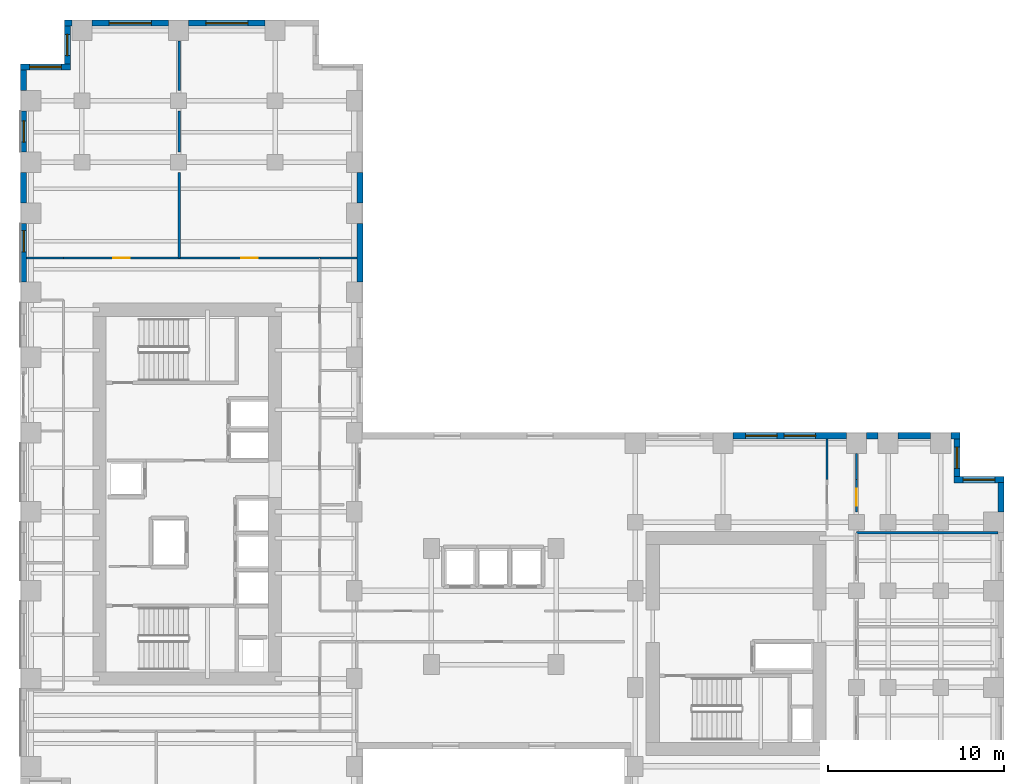
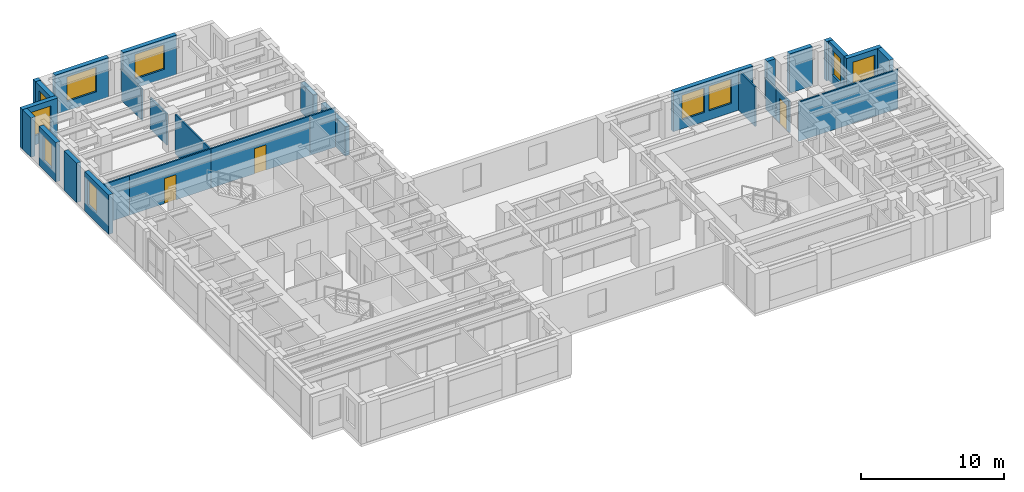
# One storey, part 11 of 14: 29 walls, 10 windows, 3 doors, 13 openings.
"""IFC4 building model written with IfcOpenShell, lengths in metres."""

from ifc_helpers import new_model, si_unit, direction, frame, frame_2d, origin, place, context, subcontext, project, spatial, rectangle, extrude, source, transform, mapped, material, layer, layer_set, type_object, element, fill, save


model = new_model("IFC4")

# Units and contexts
model_context = context("Model", 3, precision=1e-05, world=origin(), true_north=direction((0.0, 1.0)))
body_context = subcontext(model_context, "Body", "Model", "MODEL_VIEW")
ifc_project = project(units=[si_unit("LENGTHUNIT", "METRE"), si_unit("AREAUNIT", "SQUARE_METRE"), si_unit("VOLUMEUNIT", "CUBIC_METRE"), si_unit("PLANEANGLEUNIT", "RADIAN"), si_unit("MASSUNIT", "GRAM", prefix="KILO")], contexts=[model_context])

# Site, building, storey
site_placement = place(None, origin())
site = spatial("IfcSite", under=ifc_project, at=site_placement, CompositionType="ELEMENT")
building_placement = place(site_placement, origin())
building = spatial("IfcBuilding", under=site, at=building_placement, Name="Kharzan Plaza Tower", CompositionType="ELEMENT")
storey_placement = place(building_placement, frame((0.0, 0.0, 81.0)))
storey = spatial("IfcBuildingStorey", under=building, at=storey_placement, Name="L21", CompositionType="ELEMENT", Elevation=81.0)

# Wall, opening, window
ifc_material_1 = material(Name="Concrete C40/50", Category="concrete")
ifc_layer_1 = layer(ifc_material_1, 0.35009765625)
ifc_layer_set_1 = layer_set([ifc_layer_1], Name="Concrete C40/50")
wall_type_1 = type_object("IfcWallType", Name="WL-EXT-MAS-Z2", PredefinedType="SOLIDWALL", material=ifc_layer_set_1)
wall_1_placement = place(storey_placement, frame((13.927001953125, 45.824951171875, 0.0), z_axis=(0.0, 0.0, 1.0), x_axis=(-1.0, 0.0, 0.0)))
wall_1 = element("IfcWall", 1, at=wall_1_placement, inside=storey, type_object=wall_type_1, Name="L21 Masonry-Frame Exterior Wall 04", PredefinedType="SOLIDWALL", context=body_context, shape_type="SweptSolid", body=[
    extrude(rectangle(XDim=4.35400390625, YDim=0.35009765625, at=frame_2d((2.177001953125, 0.0))), origin(), (0.0, 0.0, 1.0), 3.364990234375),
])
opening_1_placement = place(wall_1_placement, frame((0.97705078125, 0.0, 0.780029296875)))
opening_1 = element("IfcOpeningElement", 2, at=opening_1_placement, cuts=wall_1, Name="Opening W2", PredefinedType="OPENING", context=body_context, shape_type="SweptSolid", body=[
    extrude(rectangle(XDim=2.39990234375, YDim=2.10009765625, at=frame_2d((1.199951171875, 1.050048828125))), frame((0.0, 0.18505859375, 0.0), z_axis=(0.0, -1.0, 0.0), x_axis=(1.0, 0.0, 0.0)), (0.0, 0.0, 1.0), 0.3701171875),
])
ifc_material_2 = material(Name="Low-E Double Glazing", Category="glass")
window_type_1 = type_object("IfcWindowType", Name="WN-REC-2400x2100", PartitioningType="SINGLE_PANEL", PredefinedType="WINDOW", material=ifc_material_2)
shared_shape_1 = source(origin(), body_context, "Body", "SweptSolid", [
    extrude(rectangle(XDim=2.39990234375, YDim=2.10009765625, at=frame_2d((1.199951171875, 1.050048828125))), frame((0.0, 0.030029296875, 0.0), z_axis=(0.0, -1.0, 0.0), x_axis=(1.0, 0.0, 0.0)), (0.0, 0.0, 1.0), 0.06005859375),
])
window_1_placement = place(opening_1_placement, origin())
window_1 = element("IfcWindow", 3, at=window_1_placement, inside=storey, type_object=window_type_1, Name="L21 Wide Recessed Solar-Control Window 04-1", OverallHeight=2.10009765625, OverallWidth=2.39990234375, PartitioningType="SINGLE_PANEL", PredefinedType="WINDOW", context=body_context, shape_type="MappedRepresentation", body=[
    mapped(shared_shape_1, transform((0.0, 0.0, 0.0), x_axis=(1.0, 0.0, 0.0), y_axis=(0.0, 1.0, 0.0), z_axis=(0.0, 0.0, 1.0))),
])
fill(opening_1, window_1)

wall_2_placement = place(storey_placement, frame((8.427001953125, 45.824951171875, 0.0), z_axis=(0.0, 0.0, 1.0), x_axis=(-1.0, 0.0, 0.0)))
wall_2 = element("IfcWall", 4, at=wall_2_placement, inside=storey, type_object=wall_type_1, Name="L21 Masonry-Frame Exterior Wall 05", PredefinedType="SOLIDWALL", context=body_context, shape_type="SweptSolid", body=[
    extrude(rectangle(XDim=4.35400390625, YDim=0.35009765625, at=frame_2d((2.177001953125, 0.0))), origin(), (0.0, 0.0, 1.0), 3.364990234375),
])
opening_2_placement = place(wall_2_placement, frame((0.97705078125, 0.0, 0.780029296875)))
opening_2 = element("IfcOpeningElement", 5, at=opening_2_placement, cuts=wall_2, Name="Opening W2", PredefinedType="OPENING", context=body_context, shape_type="SweptSolid", body=[
    extrude(rectangle(XDim=2.39990234375, YDim=2.10009765625, at=frame_2d((1.199951171875, 1.050048828125))), frame((0.0, 0.18505859375, 0.0), z_axis=(0.0, -1.0, 0.0), x_axis=(1.0, 0.0, 0.0)), (0.0, 0.0, 1.0), 0.3701171875),
])
window_2_placement = place(opening_2_placement, origin())
window_2 = element("IfcWindow", 6, at=window_2_placement, inside=storey, type_object=window_type_1, Name="L21 Wide Recessed Solar-Control Window 05-1", OverallHeight=2.10009765625, OverallWidth=2.39990234375, PartitioningType="SINGLE_PANEL", PredefinedType="WINDOW", context=body_context, shape_type="MappedRepresentation", body=[
    mapped(shared_shape_1, transform((0.0, 0.0, 0.0), x_axis=(1.0, 0.0, 0.0), y_axis=(0.0, 1.0, 0.0), z_axis=(0.0, 0.0, 1.0))),
])
fill(opening_2, window_2)

wall_3_placement = place(storey_placement, frame((2.675048828125, 45.652099609375, 0.0), z_axis=(0.0, 0.0, 1.0), x_axis=(0.0, -1.0, 0.0)))
wall_3 = element("IfcWall", 7, at=wall_3_placement, inside=storey, type_object=wall_type_1, Name="L21 Masonry-Frame Exterior Wall 07", PredefinedType="SOLIDWALL", context=body_context, shape_type="SweptSolid", body=[
    extrude(rectangle(XDim=2.154052734375, YDim=0.35009765625, at=frame_2d((1.0771484375, 0.0))), origin(), (0.0, 0.0, 1.0), 3.364990234375),
])
opening_3_placement = place(wall_3_placement, frame((0.47705078125, 0.0, 0.780029296875)))
opening_3 = element("IfcOpeningElement", 8, at=opening_3_placement, cuts=wall_3, Name="Opening W3", PredefinedType="OPENING", context=body_context, shape_type="SweptSolid", body=[
    extrude(rectangle(XDim=1.199951171875, YDim=2.10009765625, at=frame_2d((0.60009765625, 1.050048828125))), frame((0.0, 0.18505859375, 0.0), z_axis=(0.0, -1.0, 0.0), x_axis=(1.0, 0.0, 0.0)), (0.0, 0.0, 1.0), 0.3701171875),
])
window_type_2 = type_object("IfcWindowType", Name="WN-REC-1200x2100", PartitioningType="SINGLE_PANEL", PredefinedType="WINDOW", material=ifc_material_2)
shared_shape_2 = source(origin(), body_context, "Body", "SweptSolid", [
    extrude(rectangle(XDim=1.199951171875, YDim=2.10009765625, at=frame_2d((0.60009765625, 1.050048828125))), frame((0.0, 0.030029296875, 0.0), z_axis=(0.0, -1.0, 0.0), x_axis=(1.0, 0.0, 0.0)), (0.0, 0.0, 1.0), 0.06005859375),
])
window_3_placement = place(opening_3_placement, origin())
window_3 = element("IfcWindow", 9, at=window_3_placement, inside=storey, type_object=window_type_2, Name="L21 Recessed Solar-Control Window 07-1", OverallHeight=2.10009765625, OverallWidth=1.199951171875, PartitioningType="SINGLE_PANEL", PredefinedType="WINDOW", context=body_context, shape_type="MappedRepresentation", body=[
    mapped(shared_shape_2, transform((0.0, 0.0, 0.0), x_axis=(1.0, 0.0, 0.0), y_axis=(0.0, 1.0, 0.0), z_axis=(0.0, 0.0, 1.0))),
])
fill(opening_3, window_3)

wall_4_placement = place(storey_placement, frame((2.85009765625, 43.324951171875, 0.0), z_axis=(0.0, 0.0, 1.0), x_axis=(-1.0, 0.0, 0.0)))
wall_4 = element("IfcWall", 10, at=wall_4_placement, inside=storey, type_object=wall_type_1, Name="L21 Masonry-Frame Exterior Wall 08", PredefinedType="SOLIDWALL", context=body_context, shape_type="SweptSolid", body=[
    extrude(rectangle(XDim=2.85009765625, YDim=0.35009765625, at=frame_2d((1.425048828125, 0.0))), origin(), (0.0, 0.0, 1.0), 3.364990234375),
])
opening_4_placement = place(wall_4_placement, frame((0.52490234375, 0.0, 0.780029296875)))
opening_4 = element("IfcOpeningElement", 11, at=opening_4_placement, cuts=wall_4, Name="Opening W1", PredefinedType="OPENING", context=body_context, shape_type="SweptSolid", body=[
    extrude(rectangle(XDim=1.800048828125, YDim=2.10009765625, at=frame_2d((0.89990234375, 1.050048828125))), frame((0.0, 0.18505859375, 0.0), z_axis=(0.0, -1.0, 0.0), x_axis=(1.0, 0.0, 0.0)), (0.0, 0.0, 1.0), 0.3701171875),
])
window_type_3 = type_object("IfcWindowType", Name="WN-REC-1800x2100", PartitioningType="SINGLE_PANEL", PredefinedType="WINDOW", material=ifc_material_2)
shared_shape_3 = source(origin(), body_context, "Body", "SweptSolid", [
    extrude(rectangle(XDim=1.800048828125, YDim=2.10009765625, at=frame_2d((0.89990234375, 1.050048828125))), frame((0.0, 0.030029296875, 0.0), z_axis=(0.0, -1.0, 0.0), x_axis=(1.0, 0.0, 0.0)), (0.0, 0.0, 1.0), 0.06005859375),
])
window_4_placement = place(opening_4_placement, origin())
window_4 = element("IfcWindow", 12, at=window_4_placement, inside=storey, type_object=window_type_3, Name="L21 Recessed Solar-Control Window 08-1", OverallHeight=2.10009765625, OverallWidth=1.800048828125, PartitioningType="SINGLE_PANEL", PredefinedType="WINDOW", context=body_context, shape_type="MappedRepresentation", body=[
    mapped(shared_shape_3, transform((0.0, 0.0, 0.0), x_axis=(1.0, 0.0, 0.0), y_axis=(0.0, 1.0, 0.0), z_axis=(0.0, 0.0, 1.0))),
])
fill(opening_4, window_4)

wall_5_placement = place(storey_placement, frame((0.175048828125, 40.826904296875, 0.0), z_axis=(0.0, 0.0, 1.0), x_axis=(0.0, -1.0, 0.0)))
wall_5 = element("IfcWall", 13, at=wall_5_placement, inside=storey, type_object=wall_type_1, Name="L21 Masonry-Frame Exterior Wall 10", PredefinedType="SOLIDWALL", context=body_context, shape_type="SweptSolid", body=[
    extrude(rectangle(XDim=2.35400390625, YDim=0.35009765625, at=frame_2d((1.177001953125, 0.0))), origin(), (0.0, 0.0, 1.0), 3.364990234375),
])
opening_5_placement = place(wall_5_placement, frame((0.576904296875, 0.0, 0.780029296875)))
opening_5 = element("IfcOpeningElement", 14, at=opening_5_placement, cuts=wall_5, Name="Opening W3", PredefinedType="OPENING", context=body_context, shape_type="SweptSolid", body=[
    extrude(rectangle(XDim=1.199951171875, YDim=2.10009765625, at=frame_2d((0.60009765625, 1.050048828125))), frame((0.0, 0.18505859375, 0.0), z_axis=(0.0, -1.0, 0.0), x_axis=(1.0, 0.0, 0.0)), (0.0, 0.0, 1.0), 0.3701171875),
])
window_5_placement = place(opening_5_placement, origin())
window_5 = element("IfcWindow", 15, at=window_5_placement, inside=storey, type_object=window_type_2, Name="L21 Recessed Solar-Control Window 10-1", OverallHeight=2.10009765625, OverallWidth=1.199951171875, PartitioningType="SINGLE_PANEL", PredefinedType="WINDOW", context=body_context, shape_type="MappedRepresentation", body=[
    mapped(shared_shape_2, transform((0.0, 0.0, 0.0), x_axis=(1.0, 0.0, 0.0), y_axis=(0.0, 1.0, 0.0), z_axis=(0.0, 0.0, 1.0))),
])
fill(opening_5, window_5)

wall_6_placement = place(storey_placement, frame((0.175048828125, 34.427001953125, 0.0), z_axis=(0.0, 0.0, 1.0), x_axis=(0.0, -1.0, 0.0)))
wall_6 = element("IfcWall", 16, at=wall_6_placement, inside=storey, type_object=wall_type_1, Name="L21 Masonry-Frame Exterior Wall 12", PredefinedType="SOLIDWALL", context=body_context, shape_type="SweptSolid", body=[
    extrude(rectangle(XDim=3.35400390625, YDim=0.35009765625, at=frame_2d((1.677001953125, 0.0))), origin(), (0.0, 0.0, 1.0), 3.364990234375),
])
opening_6_placement = place(wall_6_placement, frame((0.423583984375, 0.0, 0.780029296875)))
opening_6 = element("IfcOpeningElement", 17, at=opening_6_placement, cuts=wall_6, Name="Opening W3", PredefinedType="OPENING", context=body_context, shape_type="SweptSolid", body=[
    extrude(rectangle(XDim=1.199951171875, YDim=2.10009765625, at=frame_2d((0.60009765625, 1.050048828125))), frame((0.0, 0.18505859375, 0.0), z_axis=(0.0, -1.0, 0.0), x_axis=(1.0, 0.0, 0.0)), (0.0, 0.0, 1.0), 0.3701171875),
])
window_6_placement = place(opening_6_placement, origin())
window_6 = element("IfcWindow", 18, at=window_6_placement, inside=storey, type_object=window_type_2, Name="L21 Recessed Solar-Control Window 12-1", OverallHeight=2.10009765625, OverallWidth=1.199951171875, PartitioningType="SINGLE_PANEL", PredefinedType="WINDOW", context=body_context, shape_type="MappedRepresentation", body=[
    mapped(shared_shape_2, transform((0.0, 0.0, 0.0), x_axis=(1.0, 0.0, 0.0), y_axis=(0.0, 1.0, 0.0), z_axis=(0.0, 0.0, 1.0))),
])
fill(opening_6, window_6)

wall_7_placement = place(storey_placement, frame((56.0, 19.824951171875, 0.0), z_axis=(0.0, 0.0, 1.0), x_axis=(-1.0, 0.0, 0.0)))
wall_7 = element("IfcWall", 19, at=wall_7_placement, inside=storey, type_object=wall_type_1, Name="L21 Masonry-Frame Exterior Wall 42", PredefinedType="SOLIDWALL", context=body_context, shape_type="SweptSolid", body=[
    extrude(rectangle(XDim=2.85009765625, YDim=0.35009765625, at=frame_2d((1.425048828125, 0.0))), origin(), (0.0, 0.0, 1.0), 3.364990234375),
])
opening_7_placement = place(wall_7_placement, frame((0.52490234375, 0.0, 0.780029296875)))
opening_7 = element("IfcOpeningElement", 20, at=opening_7_placement, cuts=wall_7, Name="Opening W1", PredefinedType="OPENING", context=body_context, shape_type="SweptSolid", body=[
    extrude(rectangle(XDim=1.800048828125, YDim=2.10009765625, at=frame_2d((0.89990234375, 1.050048828125))), frame((0.0, 0.18505859375, 0.0), z_axis=(0.0, -1.0, 0.0), x_axis=(1.0, 0.0, 0.0)), (0.0, 0.0, 1.0), 0.3701171875),
])
window_7_placement = place(opening_7_placement, origin())
window_7 = element("IfcWindow", 21, at=window_7_placement, inside=storey, type_object=window_type_3, Name="L21 Recessed Solar-Control Window 42-1", OverallHeight=2.10009765625, OverallWidth=1.800048828125, PartitioningType="SINGLE_PANEL", PredefinedType="WINDOW", context=body_context, shape_type="MappedRepresentation", body=[
    mapped(shared_shape_3, transform((0.0, 0.0, 0.0), x_axis=(1.0, 0.0, 0.0), y_axis=(0.0, 1.0, 0.0), z_axis=(0.0, 0.0, 1.0))),
])
fill(opening_7, window_7)

wall_8_placement = place(storey_placement, frame((53.324951171875, 19.998046875, 0.0), z_axis=(0.0, 0.0, 1.0), x_axis=(0.0, 1.0, 0.0)))
wall_8 = element("IfcWall", 22, at=wall_8_placement, inside=storey, type_object=wall_type_1, Name="L21 Masonry-Frame Exterior Wall 43", PredefinedType="SOLIDWALL", context=body_context, shape_type="SweptSolid", body=[
    extrude(rectangle(XDim=2.154052734375, YDim=0.35009765625, at=frame_2d((1.0771484375, 0.0))), origin(), (0.0, 0.0, 1.0), 3.364990234375),
])
opening_8_placement = place(wall_8_placement, frame((0.47705078125, 0.0, 0.780029296875)))
opening_8 = element("IfcOpeningElement", 23, at=opening_8_placement, cuts=wall_8, Name="Opening W3", PredefinedType="OPENING", context=body_context, shape_type="SweptSolid", body=[
    extrude(rectangle(XDim=1.199951171875, YDim=2.10009765625, at=frame_2d((0.60009765625, 1.050048828125))), frame((0.0, 0.18505859375, 0.0), z_axis=(0.0, -1.0, 0.0), x_axis=(1.0, 0.0, 0.0)), (0.0, 0.0, 1.0), 0.3701171875),
])
window_8_placement = place(opening_8_placement, origin())
window_8 = element("IfcWindow", 24, at=window_8_placement, inside=storey, type_object=window_type_2, Name="L21 Recessed Solar-Control Window 43-1", OverallHeight=2.10009765625, OverallWidth=1.199951171875, PartitioningType="SINGLE_PANEL", PredefinedType="WINDOW", context=body_context, shape_type="MappedRepresentation", body=[
    mapped(shared_shape_2, transform((0.0, 0.0, 0.0), x_axis=(1.0, 0.0, 0.0), y_axis=(0.0, 1.0, 0.0), z_axis=(0.0, 0.0, 1.0))),
])
fill(opening_8, window_8)

# Wall, openings, windows
wall_9_placement = place(storey_placement, frame((47.027099609375, 22.324951171875, 0.0), z_axis=(0.0, 0.0, 1.0), x_axis=(-1.0, 0.0, 0.0)))
wall_9 = element("IfcWall", 25, at=wall_9_placement, inside=storey, type_object=wall_type_1, Name="L21 Masonry-Frame Exterior Wall 47", PredefinedType="SOLIDWALL", context=body_context, shape_type="SweptSolid", body=[
    extrude(rectangle(XDim=6.4541015625, YDim=0.35009765625, at=frame_2d((3.22705078125, 0.0))), origin(), (0.0, 0.0, 1.0), 3.364990234375),
])
opening_9_placement = place(wall_9_placement, frame((1.749267578125, 0.0, 0.780029296875)))
opening_9 = element("IfcOpeningElement", 26, at=opening_9_placement, cuts=wall_9, Name="Opening W1", PredefinedType="OPENING", context=body_context, shape_type="SweptSolid", body=[
    extrude(rectangle(XDim=1.800048828125, YDim=2.10009765625, at=frame_2d((0.89990234375, 1.050048828125))), frame((0.0, 0.18505859375, 0.0), z_axis=(0.0, -1.0, 0.0), x_axis=(1.0, 0.0, 0.0)), (0.0, 0.0, 1.0), 0.3701171875),
])
opening_10_placement = place(wall_9_placement, frame((3.941650390625, 0.0, 0.780029296875)))
opening_10 = element("IfcOpeningElement", 27, at=opening_10_placement, cuts=wall_9, Name="Opening W1", PredefinedType="OPENING", context=body_context, shape_type="SweptSolid", body=[
    extrude(rectangle(XDim=1.800048828125, YDim=2.10009765625, at=frame_2d((0.89990234375, 1.050048828125))), frame((0.0, 0.18505859375, 0.0), z_axis=(0.0, -1.0, 0.0), x_axis=(1.0, 0.0, 0.0)), (0.0, 0.0, 1.0), 0.3701171875),
])
window_9_placement = place(opening_9_placement, origin())
window_9 = element("IfcWindow", 28, at=window_9_placement, inside=storey, type_object=window_type_3, Name="L21 Recessed Solar-Control Window 47-1", OverallHeight=2.10009765625, OverallWidth=1.800048828125, PartitioningType="SINGLE_PANEL", PredefinedType="WINDOW", context=body_context, shape_type="MappedRepresentation", body=[
    mapped(shared_shape_3, transform((0.0, 0.0, 0.0), x_axis=(1.0, 0.0, 0.0), y_axis=(0.0, 1.0, 0.0), z_axis=(0.0, 0.0, 1.0))),
])
fill(opening_9, window_9)
window_10_placement = place(opening_10_placement, origin())
window_10 = element("IfcWindow", 29, at=window_10_placement, inside=storey, type_object=window_type_3, Name="L21 Recessed Solar-Control Window 47-2", OverallHeight=2.10009765625, OverallWidth=1.800048828125, PartitioningType="SINGLE_PANEL", PredefinedType="WINDOW", context=body_context, shape_type="MappedRepresentation", body=[
    mapped(shared_shape_3, transform((0.0, 0.0, 0.0), x_axis=(1.0, 0.0, 0.0), y_axis=(0.0, 1.0, 0.0), z_axis=(0.0, 0.0, 1.0))),
])
fill(opening_10, window_10)

# Wall, opening, door
ifc_material_3 = material(Name="Fire-Rated Gypsum Board Partition", Category="gypsum")
ifc_layer_2 = layer(ifc_material_3, 0.125)
ifc_layer_set_2 = layer_set([ifc_layer_2], Name="Fire-Rated Gypsum Board Partition")
wall_type_2 = type_object("IfcWallType", Name="WL-INT-PART-125", PredefinedType="PARTITIONING", material=ifc_layer_set_2)
wall_10_placement = place(storey_placement, frame((47.60009765625, 17.989990234375, 0.0), z_axis=(0.0, 0.0, 1.0), x_axis=(0.0, 1.0, 0.0)))
wall_10 = element("IfcWall", 30, at=wall_10_placement, inside=storey, type_object=wall_type_2, Name="L21 Interior Partition SH-B1W2", PredefinedType="PARTITIONING", context=body_context, shape_type="SweptSolid", body=[
    extrude(rectangle(XDim=1.860107421875, YDim=0.125, at=frame_2d((0.93017578125, 0.0))), origin(), (0.0, 0.0, 1.0), 2.677001953125),
])
opening_11_placement = place(wall_10_placement, frame((0.36328125, 0.0, 0.0)))
opening_11 = element("IfcOpeningElement", 31, at=opening_11_placement, cuts=wall_10, Name="Opening OD1", PredefinedType="OPENING", context=body_context, shape_type="SweptSolid", body=[
    extrude(rectangle(XDim=0.949951171875, YDim=2.14990234375, at=frame_2d((0.47509765625, 1.074951171875))), frame((0.0, 0.072509765625, 0.0), z_axis=(0.0, -1.0, 0.0), x_axis=(1.0, 0.0, 0.0)), (0.0, 0.0, 1.0), 0.14501953125),
])
ifc_material_4 = material(Name="Acoustic Solid-Core Stained Oak", Category="timber")
door_type = type_object("IfcDoorType", Name="DR-OFF-SINGLE", OperationType="NOTDEFINED", PredefinedType="DOOR", material=ifc_material_4)
shared_shape_4 = source(origin(), body_context, "Body", "SweptSolid", [
    extrude(rectangle(XDim=0.949951171875, YDim=2.14990234375, at=frame_2d((0.47509765625, 1.074951171875))), frame((0.0, 0.02490234375, 0.0), z_axis=(0.0, -1.0, 0.0), x_axis=(1.0, 0.0, 0.0)), (0.0, 0.0, 1.0), 0.050048828125),
])
door_1_placement = place(opening_11_placement, origin())
door_1 = element("IfcDoor", 32, at=door_1_placement, inside=storey, type_object=door_type, Name="L21 Wing B North Office Door", OperationType="SINGLE_SWING_RIGHT", OverallHeight=2.14990234375, OverallWidth=0.949951171875, PredefinedType="DOOR", context=body_context, shape_type="MappedRepresentation", body=[
    mapped(shared_shape_4, transform((0.0, 0.0, 0.0), x_axis=(1.0, 0.0, 0.0), y_axis=(0.0, 1.0, 0.0), z_axis=(0.0, 0.0, 1.0))),
])
fill(opening_11, door_1)

wall_11_placement = place(storey_placement, frame((2.449951171875, 32.449951171875, 0.0), z_axis=(0.0, 0.0, 1.0), x_axis=(1.0, 0.0, 0.0)))
wall_11 = element("IfcWall", 33, at=wall_11_placement, inside=storey, type_object=wall_type_2, Name="L21 Interior Partition SH-NN-1", PredefinedType="PARTITIONING", context=body_context, shape_type="SweptSolid", body=[
    extrude(rectangle(XDim=6.589111328125, YDim=0.125, at=frame_2d((3.29443359375, 0.0))), origin(), (0.0, 0.0, 1.0), 3.364990234375),
])
opening_12_placement = place(wall_11_placement, frame((2.819580078125, 0.0, 0.0)))
opening_12 = element("IfcOpeningElement", 34, at=opening_12_placement, cuts=wall_11, Name="Opening OD1", PredefinedType="OPENING", context=body_context, shape_type="SweptSolid", body=[
    extrude(rectangle(XDim=0.949951171875, YDim=2.14990234375, at=frame_2d((0.47509765625, 1.074951171875))), frame((0.0, 0.072509765625, 0.0), z_axis=(0.0, -1.0, 0.0), x_axis=(1.0, 0.0, 0.0)), (0.0, 0.0, 1.0), 0.14501953125),
])
door_2_placement = place(opening_12_placement, origin())
door_2 = element("IfcDoor", 35, at=door_2_placement, inside=storey, type_object=door_type, Name="L21 Systems Planning Office Door", OperationType="SINGLE_SWING_RIGHT", OverallHeight=2.14990234375, OverallWidth=0.949951171875, PredefinedType="DOOR", context=body_context, shape_type="MappedRepresentation", body=[
    mapped(shared_shape_4, transform((0.0, 0.0, 0.0), x_axis=(1.0, 0.0, 0.0), y_axis=(0.0, 1.0, 0.0), z_axis=(0.0, 0.0, 1.0))),
])
fill(opening_12, door_2)

wall_12_placement = place(storey_placement, frame((9.0390625, 32.449951171875, 0.0), z_axis=(0.0, 0.0, 1.0), x_axis=(1.0, 0.0, 0.0)))
wall_12 = element("IfcWall", 36, at=wall_12_placement, inside=storey, type_object=wall_type_2, Name="L21 Interior Partition SH-NN-2", PredefinedType="PARTITIONING", context=body_context, shape_type="SweptSolid", body=[
    extrude(rectangle(XDim=8.010986328125, YDim=0.125, at=frame_2d((4.00537109375, 0.0))), origin(), (0.0, 0.0, 1.0), 3.364990234375),
])
opening_13_placement = place(wall_12_placement, frame((3.530517578125, 0.0, 0.0)))
opening_13 = element("IfcOpeningElement", 37, at=opening_13_placement, cuts=wall_12, Name="Opening OD1", PredefinedType="OPENING", context=body_context, shape_type="SweptSolid", body=[
    extrude(rectangle(XDim=0.949951171875, YDim=2.14990234375, at=frame_2d((0.47509765625, 1.074951171875))), frame((0.0, 0.072509765625, 0.0), z_axis=(0.0, -1.0, 0.0), x_axis=(1.0, 0.0, 0.0)), (0.0, 0.0, 1.0), 0.14501953125),
])
door_3_placement = place(opening_13_placement, origin())
door_3 = element("IfcDoor", 38, at=door_3_placement, inside=storey, type_object=door_type, Name="L21 Open Office Workspace Door", OperationType="SINGLE_SWING_LEFT", OverallHeight=2.14990234375, OverallWidth=0.949951171875, PredefinedType="DOOR", context=body_context, shape_type="MappedRepresentation", body=[
    mapped(shared_shape_4, transform((0.0, 0.0, 0.0), x_axis=(1.0, 0.0, 0.0), y_axis=(0.0, 1.0, 0.0), z_axis=(0.0, 0.0, 1.0))),
])
fill(opening_13, door_3)

# Walls
shared_shape_5 = source(origin(), body_context, "Body", "SweptSolid", [
    extrude(rectangle(XDim=2.2978515625, YDim=0.125, at=frame_2d((1.14892578125, 0.0))), origin(), (0.0, 0.0, 1.0), 3.364990234375),
])
wall_13_placement = place(storey_placement, frame((45.919921875, 19.85009765625, 0.0), z_axis=(0.0, 0.0, 1.0), x_axis=(0.0, 1.0, 0.0)))
element("IfcWall", 39, at=wall_13_placement, inside=storey, type_object=wall_type_2, Name="L21 Interior Partition SH-RBNE0", PredefinedType="PARTITIONING", context=body_context, shape_type="MappedRepresentation", body=[
    mapped(shared_shape_5, transform((0.0, 0.0, 0.0), x_axis=(1.0, 0.0, 0.0), y_axis=(0.0, 1.0, 0.0), z_axis=(0.0, 0.0, 1.0))),
])
shared_shape_6 = source(origin(), body_context, "Body", "SweptSolid", [
    extrude(rectangle(XDim=2.097900390625, YDim=0.125, at=frame_2d((1.048828125, 0.0))), origin(), (0.0, 0.0, 1.0), 3.364990234375),
])
for number, where, z_axis, x_axis, name in (
    (40, (17.050048828125, 32.449951171875, 0.0), (0.0, 0.0, 1.0), (1.0, 0.0, 0.0), "L21 Interior Partition SH-NNE0"),
    (41, (0.35205078125, 32.449951171875, 0.0), (0.0, 0.0, 1.0), (1.0, 0.0, 0.0), "L21 Interior Partition SH-NNW0"),
):
    element("IfcWall", number, at=place(storey_placement, frame(where, z_axis=z_axis, x_axis=x_axis)), inside=storey, type_object=wall_type_2, Name=name, PredefinedType="PARTITIONING", context=body_context, shape_type="MappedRepresentation", body=[
        mapped(shared_shape_6, transform((0.0, 0.0, 0.0), x_axis=(1.0, 0.0, 0.0), y_axis=(0.0, 1.0, 0.0), z_axis=(0.0, 0.0, 1.0))),
    ])
shared_shape_7 = source(origin(), body_context, "Body", "SweptSolid", [
    extrude(rectangle(XDim=0.427001953125, YDim=0.35009765625, at=frame_2d((0.21337890625, 0.0))), origin(), (0.0, 0.0, 1.0), 3.364990234375),
])
wall_14_placement = place(storey_placement, frame((2.927001953125, 45.824951171875, 0.0), z_axis=(0.0, 0.0, 1.0), x_axis=(-1.0, 0.0, 0.0)))
element("IfcWall", 42, at=wall_14_placement, inside=storey, type_object=wall_type_1, Name="L21 Masonry-Frame Exterior Wall 06", PredefinedType="SOLIDWALL", context=body_context, shape_type="MappedRepresentation", body=[
    mapped(shared_shape_7, transform((0.0, 0.0, 0.0), x_axis=(1.0, 0.0, 0.0), y_axis=(0.0, 1.0, 0.0), z_axis=(0.0, 0.0, 1.0))),
])
shared_shape_8 = source(origin(), body_context, "Body", "SweptSolid", [
    extrude(rectangle(XDim=1.17919921875, YDim=0.35009765625, at=frame_2d((0.589599609375, 0.0))), origin(), (0.0, 0.0, 1.0), 3.364990234375),
])
wall_15_placement = place(storey_placement, frame((0.175048828125, 43.152099609375, 0.0), z_axis=(0.0, 0.0, 1.0), x_axis=(0.0, -1.0, 0.0)))
element("IfcWall", 43, at=wall_15_placement, inside=storey, type_object=wall_type_1, Name="L21 Masonry-Frame Exterior Wall 09", PredefinedType="SOLIDWALL", context=body_context, shape_type="MappedRepresentation", body=[
    mapped(shared_shape_8, transform((0.0, 0.0, 0.0), x_axis=(1.0, 0.0, 0.0), y_axis=(0.0, 1.0, 0.0), z_axis=(0.0, 0.0, 1.0))),
])
shared_shape_9 = source(origin(), body_context, "Body", "SweptSolid", [
    extrude(rectangle(XDim=1.75390625, YDim=0.35009765625, at=frame_2d((0.876953125, 0.0))), origin(), (0.0, 0.0, 1.0), 3.364990234375),
])
wall_16_placement = place(storey_placement, frame((0.175048828125, 37.326904296875, 0.0), z_axis=(0.0, 0.0, 1.0), x_axis=(0.0, -1.0, 0.0)))
element("IfcWall", 44, at=wall_16_placement, inside=storey, type_object=wall_type_1, Name="L21 Masonry-Frame Exterior Wall 11", PredefinedType="SOLIDWALL", context=body_context, shape_type="MappedRepresentation", body=[
    mapped(shared_shape_9, transform((0.0, 0.0, 0.0), x_axis=(1.0, 0.0, 0.0), y_axis=(0.0, 1.0, 0.0), z_axis=(0.0, 0.0, 1.0))),
])
shared_shape_10 = source(origin(), body_context, "Body", "SweptSolid", [
    extrude(rectangle(XDim=1.75390625, YDim=0.35009765625, at=frame_2d((0.876953125, 0.0))), origin(), (0.0, 0.0, 1.0), 2.51904296875),
])
wall_17_placement = place(storey_placement, frame((19.324951171875, 35.572998046875, 0.0), z_axis=(0.0, 0.0, 1.0), x_axis=(0.0, 1.0, 0.0)))
element("IfcWall", 45, at=wall_17_placement, inside=storey, type_object=wall_type_1, Name="L21 Masonry-Frame Exterior Wall 53", PredefinedType="SOLIDWALL", context=body_context, shape_type="MappedRepresentation", body=[
    mapped(shared_shape_10, transform((0.0, 0.0, 0.0), x_axis=(1.0, 0.0, 0.0), y_axis=(0.0, 1.0, 0.0), z_axis=(0.0, 0.0, 1.0))),
])
shared_shape_11 = source(origin(), body_context, "Body", "SweptSolid", [
    extrude(rectangle(XDim=0.65380859375, YDim=0.35009765625, at=frame_2d((0.326904296875, 0.0))), origin(), (0.0, 0.0, 1.0), 3.364990234375),
])
wall_18_placement = place(storey_placement, frame((48.826904296875, 22.324951171875, 0.0), z_axis=(0.0, 0.0, 1.0), x_axis=(-1.0, 0.0, 0.0)))
element("IfcWall", 46, at=wall_18_placement, inside=storey, type_object=wall_type_1, Name="L21 Masonry-Frame Exterior Wall 46", PredefinedType="SOLIDWALL", context=body_context, shape_type="MappedRepresentation", body=[
    mapped(shared_shape_11, transform((0.0, 0.0, 0.0), x_axis=(1.0, 0.0, 0.0), y_axis=(0.0, 1.0, 0.0), z_axis=(0.0, 0.0, 1.0))),
])
shared_shape_12 = source(origin(), body_context, "Body", "SweptSolid", [
    extrude(rectangle(XDim=1.85400390625, YDim=0.35009765625, at=frame_2d((0.927001953125, 0.0))), origin(), (0.0, 0.0, 1.0), 3.364990234375),
])
wall_19_placement = place(storey_placement, frame((51.826904296875, 22.324951171875, 0.0), z_axis=(0.0, 0.0, 1.0), x_axis=(-1.0, 0.0, 0.0)))
element("IfcWall", 47, at=wall_19_placement, inside=storey, type_object=wall_type_1, Name="L21 Masonry-Frame Exterior Wall 45", PredefinedType="SOLIDWALL", context=body_context, shape_type="MappedRepresentation", body=[
    mapped(shared_shape_12, transform((0.0, 0.0, 0.0), x_axis=(1.0, 0.0, 0.0), y_axis=(0.0, 1.0, 0.0), z_axis=(0.0, 0.0, 1.0))),
])
shared_shape_13 = source(origin(), body_context, "Body", "SweptSolid", [
    extrude(rectangle(XDim=0.527099609375, YDim=0.35009765625, at=frame_2d((0.263671875, 0.0))), origin(), (0.0, 0.0, 1.0), 3.364990234375),
])
wall_20_placement = place(storey_placement, frame((53.5, 22.324951171875, 0.0), z_axis=(0.0, 0.0, 1.0), x_axis=(-1.0, 0.0, 0.0)))
element("IfcWall", 48, at=wall_20_placement, inside=storey, type_object=wall_type_1, Name="L21 Masonry-Frame Exterior Wall 44", PredefinedType="SOLIDWALL", context=body_context, shape_type="MappedRepresentation", body=[
    mapped(shared_shape_13, transform((0.0, 0.0, 0.0), x_axis=(1.0, 0.0, 0.0), y_axis=(0.0, 1.0, 0.0), z_axis=(0.0, 0.0, 1.0))),
])
shared_shape_14 = source(origin(), body_context, "Body", "SweptSolid", [
    extrude(rectangle(XDim=1.67919921875, YDim=0.35009765625, at=frame_2d((0.839599609375, 0.0))), origin(), (0.0, 0.0, 1.0), 3.364990234375),
])
wall_21_placement = place(storey_placement, frame((55.824951171875, 17.972900390625, 0.0), z_axis=(0.0, 0.0, 1.0), x_axis=(0.0, 1.0, 0.0)))
element("IfcWall", 49, at=wall_21_placement, inside=storey, type_object=wall_type_1, Name="L21 Masonry-Frame Exterior Wall 41", PredefinedType="SOLIDWALL", context=body_context, shape_type="MappedRepresentation", body=[
    mapped(shared_shape_14, transform((0.0, 0.0, 0.0), x_axis=(1.0, 0.0, 0.0), y_axis=(0.0, 1.0, 0.0), z_axis=(0.0, 0.0, 1.0))),
])
shared_shape_15 = source(origin(), body_context, "Body", "SweptSolid", [
    extrude(rectangle(XDim=3.35400390625, YDim=0.35009765625, at=frame_2d((1.677001953125, 0.0))), origin(), (0.0, 0.0, 1.0), 2.51904296875),
])
wall_22_placement = place(storey_placement, frame((19.324951171875, 31.072998046875, 0.0), z_axis=(0.0, 0.0, 1.0), x_axis=(0.0, 1.0, 0.0)))
element("IfcWall", 50, at=wall_22_placement, inside=storey, type_object=wall_type_1, Name="L21 Masonry-Frame Exterior Wall 52", PredefinedType="SOLIDWALL", context=body_context, shape_type="MappedRepresentation", body=[
    mapped(shared_shape_15, transform((0.0, 0.0, 0.0), x_axis=(1.0, 0.0, 0.0), y_axis=(0.0, 1.0, 0.0), z_axis=(0.0, 0.0, 1.0))),
])
shared_shape_16 = source(origin(), body_context, "Body", "SweptSolid", [
    extrude(rectangle(XDim=8.0478515625, YDim=0.125, at=frame_2d((4.02392578125, 0.0))), origin(), (0.0, 0.0, 1.0), 3.364990234375),
])
wall_23_placement = place(storey_placement, frame((47.60009765625, 16.800048828125, 0.0), z_axis=(0.0, 0.0, 1.0), x_axis=(1.0, 0.0, 0.0)))
element("IfcWall", 51, at=wall_23_placement, inside=storey, type_object=wall_type_2, Name="L21 Interior Partition SH-B1H-168", PredefinedType="PARTITIONING", context=body_context, shape_type="MappedRepresentation", body=[
    mapped(shared_shape_16, transform((0.0, 0.0, 0.0), x_axis=(1.0, 0.0, 0.0), y_axis=(0.0, 1.0, 0.0), z_axis=(0.0, 0.0, 1.0))),
])
shared_shape_17 = source(origin(), body_context, "Body", "SweptSolid", [
    extrude(rectangle(XDim=1.4599609375, YDim=0.125, at=frame_2d((0.72998046875, 0.0))), origin(), (0.0, 0.0, 1.0), 2.677001953125),
])
wall_24_placement = place(storey_placement, frame((47.60009765625, 19.85009765625, 0.0), z_axis=(0.0, 0.0, 1.0), x_axis=(0.0, 1.0, 0.0)))
element("IfcWall", 52, at=wall_24_placement, inside=storey, type_object=wall_type_2, Name="L21 Interior Partition SH-B1W2N", PredefinedType="PARTITIONING", context=body_context, shape_type="MappedRepresentation", body=[
    mapped(shared_shape_17, transform((0.0, 0.0, 0.0), x_axis=(1.0, 0.0, 0.0), y_axis=(0.0, 1.0, 0.0), z_axis=(0.0, 0.0, 1.0))),
])
shared_shape_18 = source(origin(), body_context, "Body", "SweptSolid", [
    extrude(rectangle(XDim=4.860107421875, YDim=0.125, at=frame_2d((2.43017578125, 0.0))), origin(), (0.0, 0.0, 1.0), 3.364990234375),
])
wall_25_placement = place(storey_placement, frame((9.0390625, 32.449951171875, 0.0), z_axis=(0.0, 0.0, 1.0), x_axis=(0.0, 1.0, 0.0)))
element("IfcWall", 53, at=wall_25_placement, inside=storey, type_object=wall_type_2, Name="L21 Interior Partition SH-NV-1-S1", PredefinedType="PARTITIONING", context=body_context, shape_type="MappedRepresentation", body=[
    mapped(shared_shape_18, transform((0.0, 0.0, 0.0), x_axis=(1.0, 0.0, 0.0), y_axis=(0.0, 1.0, 0.0), z_axis=(0.0, 0.0, 1.0))),
])
shared_shape_19 = source(origin(), body_context, "Body", "SweptSolid", [
    extrude(rectangle(XDim=2.320068359375, YDim=0.125, at=frame_2d((1.16015625, 0.0))), origin(), (0.0, 0.0, 1.0), 2.677001953125),
])
wall_26_placement = place(storey_placement, frame((9.0390625, 38.489990234375, 0.0), z_axis=(0.0, 0.0, 1.0), x_axis=(0.0, 1.0, 0.0)))
element("IfcWall", 54, at=wall_26_placement, inside=storey, type_object=wall_type_2, Name="L21 Interior Partition SH-NV-1-S2", PredefinedType="PARTITIONING", context=body_context, shape_type="MappedRepresentation", body=[
    mapped(shared_shape_19, transform((0.0, 0.0, 0.0), x_axis=(1.0, 0.0, 0.0), y_axis=(0.0, 1.0, 0.0), z_axis=(0.0, 0.0, 1.0))),
])
shared_shape_20 = source(origin(), body_context, "Body", "SweptSolid", [
    extrude(rectangle(XDim=2.820068359375, YDim=0.125, at=frame_2d((1.41015625, 0.0))), origin(), (0.0, 0.0, 1.0), 2.677001953125),
])
wall_27_placement = place(storey_placement, frame((9.0390625, 41.989990234375, 0.0), z_axis=(0.0, 0.0, 1.0), x_axis=(0.0, 1.0, 0.0)))
element("IfcWall", 55, at=wall_27_placement, inside=storey, type_object=wall_type_2, Name="L21 Interior Partition SH-NV-1-S3", PredefinedType="PARTITIONING", context=body_context, shape_type="MappedRepresentation", body=[
    mapped(shared_shape_20, transform((0.0, 0.0, 0.0), x_axis=(1.0, 0.0, 0.0), y_axis=(0.0, 1.0, 0.0), z_axis=(0.0, 0.0, 1.0))),
])

save(model, "model.ifc")
